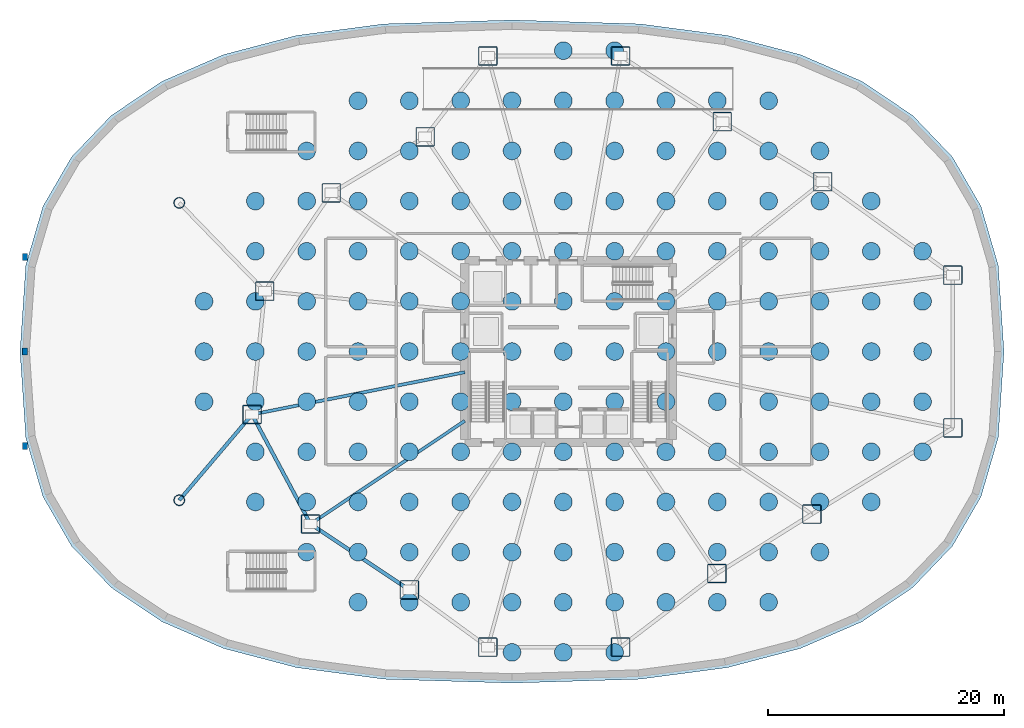
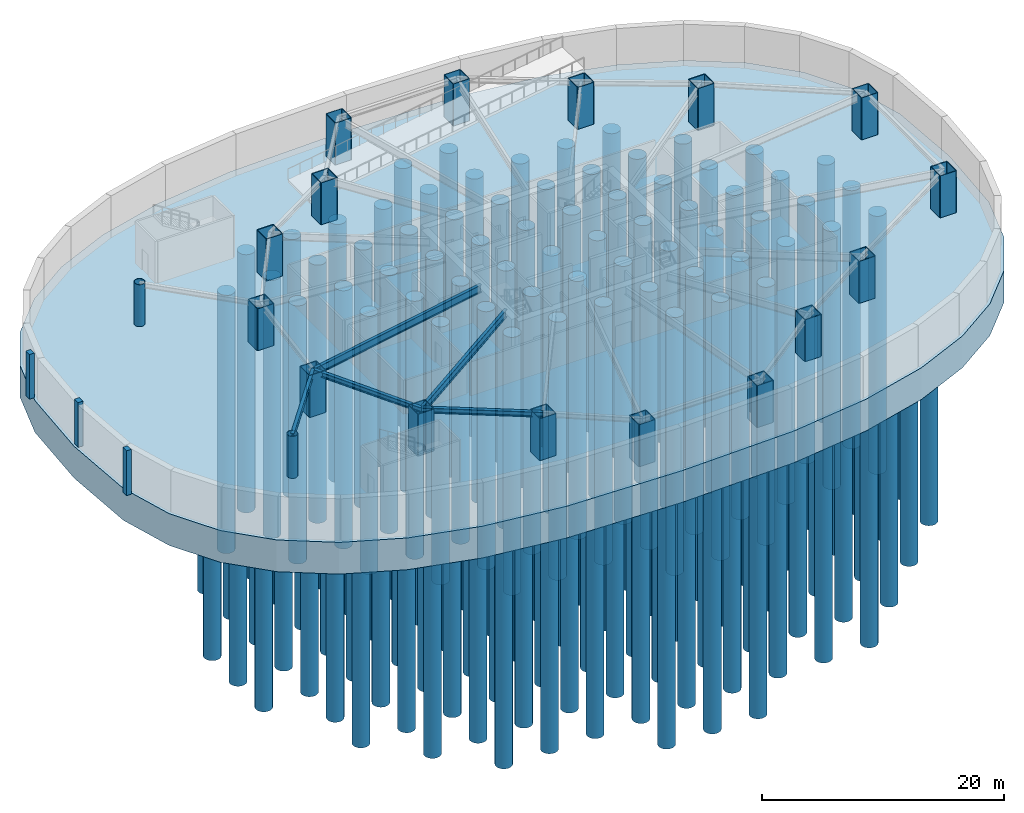
# One storey, part 1 of 10: 144 piles, 21 columns, 5 beams, 1 footing.
"""IFC4 building model written with IfcOpenShell, lengths in metres."""

from ifc_helpers import new_model, si_unit, direction, frame, origin, origin_2d, place, context, subcontext, project, spatial, polyline, rectangle, hollow_rectangle, circle, hollow_circle, i_section, outline, extrude, source, transform, mapped, material, layer, layer_set, material_profile, profile_set, type_object, element, save


model = new_model("IFC4")

# Units and contexts
model_context = context("Model", 3, precision=1e-05, world=origin(), true_north=direction((0.0, 1.0)))
body_context = subcontext(model_context, "Body", "Model", "MODEL_VIEW")
ifc_project = project(units=[si_unit("LENGTHUNIT", "METRE"), si_unit("AREAUNIT", "SQUARE_METRE"), si_unit("VOLUMEUNIT", "CUBIC_METRE"), si_unit("PLANEANGLEUNIT", "RADIAN"), si_unit("MASSUNIT", "GRAM", prefix="KILO"), si_unit("THERMODYNAMICTEMPERATUREUNIT", "KELVIN")], contexts=[model_context])

# Site, building, storey
site_placement = place(None, origin())
site = spatial("IfcSite", under=ifc_project, at=site_placement, CompositionType="ELEMENT")
building_placement = place(site_placement, origin())
building = spatial("IfcBuilding", under=site, at=building_placement, Name="Kethvar Cultural Tower", CompositionType="ELEMENT")
storey_placement = place(building_placement, frame((0.0, 0.0, -9.0)))
storey = spatial("IfcBuildingStorey", under=building, at=storey_placement, Name="B02", CompositionType="ELEMENT", Elevation=-9.0)

# Footing
ifc_material_1 = material(Name="Concrete C50/60", Category="concrete")
ifc_layer = layer(ifc_material_1, 3.199951171875, Name="Concrete C50/60", Category="concrete")
ifc_layer_set = layer_set([ifc_layer], Name="Concrete C50/60 (3200 mm)")
footing_type = type_object("IfcFootingType", Name="FT-RAFT-3200", PredefinedType="PILE_CAP", material=ifc_layer_set)
footing_placement = place(storey_placement, frame((0.0, 0.0, -3.199951171875)))
element("IfcFooting", 1, at=footing_placement, inside=storey, type_object=footing_type, Name="Main Piled-Raft Foundation", PredefinedType="PILE_CAP", context=body_context, shape_type="SweptSolid", body=[
    extrude(outline(polyline([(83.699951171875, 27.800048828125), (83.2119140625, 35.108642578125), (81.751708984375, 40.11083984375), (79.33203125, 44.287109375), (75.970458984375, 47.8017578125), (71.68212890625, 50.69140625), (66.466796875, 52.956787109375), (60.26904296875, 54.587158203125), (52.845947265625, 55.571044921875), (42.0, 55.89990234375), (31.154052734375, 55.571044921875), (23.73095703125, 54.587158203125), (17.533203125, 52.956787109375), (12.31787109375, 50.69140625), (8.029541015625, 47.8017578125), (4.66796875, 44.287109375), (2.248291015625, 40.11083984375), (0.7880859375, 35.108642578125), (0.300048828125, 27.800048828125), (0.7880859375, 20.4912109375), (2.248291015625, 15.4892578125), (4.66796875, 11.31298828125), (8.029541015625, 7.79833984375), (12.31787109375, 4.90869140625), (17.533203125, 2.643310546875), (23.73095703125, 1.012939453125), (31.154052734375, 0.029052734375), (42.0, -0.300048828125), (52.845947265625, 0.029052734375), (60.26904296875, 1.012939453125), (66.466796875, 2.643310546875), (71.68212890625, 4.90869140625), (75.970458984375, 7.79833984375), (79.33203125, 11.31298828125), (81.751708984375, 15.4892578125), (83.2119140625, 20.4912109375), (83.699951171875, 27.800048828125)])), origin(), (0.0, 0.0, 1.0), 3.199951171875),
])

# Piles
ifc_material_2 = material(Name="Concrete C45/55", Category="concrete")
ifc_material_profile_1 = material_profile(ifc_material_2, circle(Radius=0.75, at=origin_2d()), Name="Concrete C45/55 — PILE1500")
ifc_profile_set_1 = profile_set([ifc_material_profile_1], Name="Concrete C45/55 — PILE1500")
pile_type = type_object("IfcPileType", Name="PILE-1500", PredefinedType="BORED", material=ifc_profile_set_1)
shared_shape_1 = source(origin(), body_context, "Body", "SweptSolid", [
    extrude(circle(Radius=0.75, at=origin_2d()), origin(), (0.0, 0.0, 1.0), 26.0),
])
for number, where, z_axis, x_axis, name in (
    (2, (46.35009765625, 27.800048828125, -3.10009765625), (0.0, 0.0, -1.0), (1.0, 0.0, 0.0), "Bored Pile P-001"),
    (3, (50.699951171875, 27.800048828125, -3.10009765625), (0.0, 0.0, -1.0), (1.0, 0.0, 0.0), "Bored Pile P-002"),
    (4, (42.0, 27.800048828125, -3.10009765625), (0.0, 0.0, -1.0), (1.0, 0.0, 0.0), "Bored Pile P-003"),
    (5, (46.35009765625, 23.550048828125, -3.10009765625), (0.0, 0.0, -1.0), (1.0, 0.0, 0.0), "Bored Pile P-004"),
    (6, (46.35009765625, 32.050048828125, -3.10009765625), (0.0, 0.0, -1.0), (1.0, 0.0, 0.0), "Bored Pile P-005"),
    (7, (50.699951171875, 23.550048828125, -3.10009765625), (0.0, 0.0, -1.0), (1.0, 0.0, 0.0), "Bored Pile P-006"),
    (8, (50.699951171875, 32.050048828125, -3.10009765625), (0.0, 0.0, -1.0), (1.0, 0.0, 0.0), "Bored Pile P-007"),
    (9, (42.0, 23.550048828125, -3.10009765625), (0.0, 0.0, -1.0), (1.0, 0.0, 0.0), "Bored Pile P-008"),
    (10, (42.0, 32.050048828125, -3.10009765625), (0.0, 0.0, -1.0), (1.0, 0.0, 0.0), "Bored Pile P-009"),
    (11, (55.050048828125, 27.800048828125, -3.10009765625), (0.0, 0.0, -1.0), (1.0, 0.0, 0.0), "Bored Pile P-010"),
    (12, (37.64990234375, 27.800048828125, -3.10009765625), (0.0, 0.0, -1.0), (1.0, 0.0, 0.0), "Bored Pile P-011"),
    (13, (55.050048828125, 23.550048828125, -3.10009765625), (0.0, 0.0, -1.0), (1.0, 0.0, 0.0), "Bored Pile P-012"),
    (14, (55.050048828125, 32.050048828125, -3.10009765625), (0.0, 0.0, -1.0), (1.0, 0.0, 0.0), "Bored Pile P-013"),
    (15, (37.64990234375, 23.550048828125, -3.10009765625), (0.0, 0.0, -1.0), (1.0, 0.0, 0.0), "Bored Pile P-014"),
    (16, (37.64990234375, 32.050048828125, -3.10009765625), (0.0, 0.0, -1.0), (1.0, 0.0, 0.0), "Bored Pile P-015"),
    (17, (46.35009765625, 19.300048828125, -3.10009765625), (0.0, 0.0, -1.0), (1.0, 0.0, 0.0), "Bored Pile P-016"),
    (18, (46.35009765625, 36.300048828125, -3.10009765625), (0.0, 0.0, -1.0), (1.0, 0.0, 0.0), "Bored Pile P-017"),
    (19, (50.699951171875, 19.300048828125, -3.10009765625), (0.0, 0.0, -1.0), (1.0, 0.0, 0.0), "Bored Pile P-018"),
    (20, (50.699951171875, 36.300048828125, -3.10009765625), (0.0, 0.0, -1.0), (1.0, 0.0, 0.0), "Bored Pile P-019"),
    (21, (42.0, 19.300048828125, -3.10009765625), (0.0, 0.0, -1.0), (1.0, 0.0, 0.0), "Bored Pile P-020"),
    (22, (42.0, 36.300048828125, -3.10009765625), (0.0, 0.0, -1.0), (1.0, 0.0, 0.0), "Bored Pile P-021"),
    (23, (59.39990234375, 27.800048828125, -3.10009765625), (0.0, 0.0, -1.0), (1.0, 0.0, 0.0), "Bored Pile P-022"),
    (24, (55.050048828125, 19.300048828125, -3.10009765625), (0.0, 0.0, -1.0), (1.0, 0.0, 0.0), "Bored Pile P-023"),
    (25, (55.050048828125, 36.300048828125, -3.10009765625), (0.0, 0.0, -1.0), (1.0, 0.0, 0.0), "Bored Pile P-024"),
    (26, (33.300048828125, 27.800048828125, -3.10009765625), (0.0, 0.0, -1.0), (1.0, 0.0, 0.0), "Bored Pile P-025"),
    (27, (59.39990234375, 23.550048828125, -3.10009765625), (0.0, 0.0, -1.0), (1.0, 0.0, 0.0), "Bored Pile P-026"),
    (28, (59.39990234375, 32.050048828125, -3.10009765625), (0.0, 0.0, -1.0), (1.0, 0.0, 0.0), "Bored Pile P-027"),
    (29, (37.64990234375, 19.300048828125, -3.10009765625), (0.0, 0.0, -1.0), (1.0, 0.0, 0.0), "Bored Pile P-028"),
    (30, (37.64990234375, 36.300048828125, -3.10009765625), (0.0, 0.0, -1.0), (1.0, 0.0, 0.0), "Bored Pile P-029"),
    (31, (33.300048828125, 23.550048828125, -3.10009765625), (0.0, 0.0, -1.0), (1.0, 0.0, 0.0), "Bored Pile P-030"),
    (32, (33.300048828125, 32.050048828125, -3.10009765625), (0.0, 0.0, -1.0), (1.0, 0.0, 0.0), "Bored Pile P-031"),
    (33, (46.35009765625, 15.050048828125, -3.10009765625), (0.0, 0.0, -1.0), (1.0, 0.0, 0.0), "Bored Pile P-032"),
    (34, (46.35009765625, 40.550048828125, -3.10009765625), (0.0, 0.0, -1.0), (1.0, 0.0, 0.0), "Bored Pile P-033"),
    (35, (50.699951171875, 15.050048828125, -3.10009765625), (0.0, 0.0, -1.0), (1.0, 0.0, 0.0), "Bored Pile P-034"),
    (36, (50.699951171875, 40.550048828125, -3.10009765625), (0.0, 0.0, -1.0), (1.0, 0.0, 0.0), "Bored Pile P-035"),
    (37, (59.39990234375, 19.300048828125, -3.10009765625), (0.0, 0.0, -1.0), (1.0, 0.0, 0.0), "Bored Pile P-036"),
    (38, (59.39990234375, 36.300048828125, -3.10009765625), (0.0, 0.0, -1.0), (1.0, 0.0, 0.0), "Bored Pile P-037"),
    (39, (42.0, 15.050048828125, -3.10009765625), (0.0, 0.0, -1.0), (1.0, 0.0, 0.0), "Bored Pile P-038"),
    (40, (42.0, 40.550048828125, -3.10009765625), (0.0, 0.0, -1.0), (1.0, 0.0, 0.0), "Bored Pile P-039"),
    (41, (63.75, 27.800048828125, -3.10009765625), (0.0, 0.0, -1.0), (1.0, 0.0, 0.0), "Bored Pile P-040"),
    (42, (33.300048828125, 19.300048828125, -3.10009765625), (0.0, 0.0, -1.0), (1.0, 0.0, 0.0), "Bored Pile P-041"),
    (43, (33.300048828125, 36.300048828125, -3.10009765625), (0.0, 0.0, -1.0), (1.0, 0.0, 0.0), "Bored Pile P-042"),
    (44, (63.75, 23.550048828125, -3.10009765625), (0.0, 0.0, -1.0), (1.0, 0.0, 0.0), "Bored Pile P-043"),
    (45, (63.75, 32.050048828125, -3.10009765625), (0.0, 0.0, -1.0), (1.0, 0.0, 0.0), "Bored Pile P-044"),
    (46, (28.949951171875, 27.800048828125, -3.10009765625), (0.0, 0.0, -1.0), (1.0, 0.0, 0.0), "Bored Pile P-045"),
    (47, (55.050048828125, 15.050048828125, -3.10009765625), (0.0, 0.0, -1.0), (1.0, 0.0, 0.0), "Bored Pile P-046"),
    (48, (55.050048828125, 40.550048828125, -3.10009765625), (0.0, 0.0, -1.0), (1.0, 0.0, 0.0), "Bored Pile P-047"),
    (49, (37.64990234375, 15.050048828125, -3.10009765625), (0.0, 0.0, -1.0), (1.0, 0.0, 0.0), "Bored Pile P-048"),
    (50, (37.64990234375, 40.550048828125, -3.10009765625), (0.0, 0.0, -1.0), (1.0, 0.0, 0.0), "Bored Pile P-049"),
    (51, (28.949951171875, 23.550048828125, -3.10009765625), (0.0, 0.0, -1.0), (1.0, 0.0, 0.0), "Bored Pile P-050"),
    (52, (28.949951171875, 32.050048828125, -3.10009765625), (0.0, 0.0, -1.0), (1.0, 0.0, 0.0), "Bored Pile P-051"),
    (53, (63.75, 19.300048828125, -3.10009765625), (0.0, 0.0, -1.0), (1.0, 0.0, 0.0), "Bored Pile P-052"),
    (54, (63.75, 36.300048828125, -3.10009765625), (0.0, 0.0, -1.0), (1.0, 0.0, 0.0), "Bored Pile P-053"),
    (55, (59.39990234375, 15.050048828125, -3.10009765625), (0.0, 0.0, -1.0), (1.0, 0.0, 0.0), "Bored Pile P-054"),
    (56, (59.39990234375, 40.550048828125, -3.10009765625), (0.0, 0.0, -1.0), (1.0, 0.0, 0.0), "Bored Pile P-055"),
    (57, (28.949951171875, 19.300048828125, -3.10009765625), (0.0, 0.0, -1.0), (1.0, 0.0, 0.0), "Bored Pile P-056"),
    (58, (28.949951171875, 36.300048828125, -3.10009765625), (0.0, 0.0, -1.0), (1.0, 0.0, 0.0), "Bored Pile P-057"),
    (59, (33.300048828125, 15.050048828125, -3.10009765625), (0.0, 0.0, -1.0), (1.0, 0.0, 0.0), "Bored Pile P-058"),
    (60, (33.300048828125, 40.550048828125, -3.10009765625), (0.0, 0.0, -1.0), (1.0, 0.0, 0.0), "Bored Pile P-059"),
    (61, (46.35009765625, 10.800048828125, -3.10009765625), (0.0, 0.0, -1.0), (1.0, 0.0, 0.0), "Bored Pile P-060"),
    (62, (46.35009765625, 44.800048828125, -3.10009765625), (0.0, 0.0, -1.0), (1.0, 0.0, 0.0), "Bored Pile P-061"),
    (63, (68.10009765625, 27.800048828125, -3.10009765625), (0.0, 0.0, -1.0), (1.0, 0.0, 0.0), "Bored Pile P-062"),
    (64, (50.699951171875, 10.800048828125, -3.10009765625), (0.0, 0.0, -1.0), (1.0, 0.0, 0.0), "Bored Pile P-063"),
    (65, (50.699951171875, 44.800048828125, -3.10009765625), (0.0, 0.0, -1.0), (1.0, 0.0, 0.0), "Bored Pile P-064"),
    (66, (42.0, 10.800048828125, -3.10009765625), (0.0, 0.0, -1.0), (1.0, 0.0, 0.0), "Bored Pile P-065"),
    (67, (42.0, 44.800048828125, -3.10009765625), (0.0, 0.0, -1.0), (1.0, 0.0, 0.0), "Bored Pile P-066"),
    (68, (68.10009765625, 23.550048828125, -3.10009765625), (0.0, 0.0, -1.0), (1.0, 0.0, 0.0), "Bored Pile P-067"),
    (69, (68.10009765625, 32.050048828125, -3.10009765625), (0.0, 0.0, -1.0), (1.0, 0.0, 0.0), "Bored Pile P-068"),
    (70, (24.60009765625, 27.800048828125, -3.10009765625), (0.0, 0.0, -1.0), (1.0, 0.0, 0.0), "Bored Pile P-069"),
    (71, (55.050048828125, 10.800048828125, -3.10009765625), (0.0, 0.0, -1.0), (1.0, 0.0, 0.0), "Bored Pile P-070"),
    (72, (55.050048828125, 44.800048828125, -3.10009765625), (0.0, 0.0, -1.0), (1.0, 0.0, 0.0), "Bored Pile P-071"),
    (73, (24.60009765625, 23.550048828125, -3.10009765625), (0.0, 0.0, -1.0), (1.0, 0.0, 0.0), "Bored Pile P-072"),
    (74, (24.60009765625, 32.050048828125, -3.10009765625), (0.0, 0.0, -1.0), (1.0, 0.0, 0.0), "Bored Pile P-073"),
    (75, (37.64990234375, 10.800048828125, -3.10009765625), (0.0, 0.0, -1.0), (1.0, 0.0, 0.0), "Bored Pile P-074"),
    (76, (37.64990234375, 44.800048828125, -3.10009765625), (0.0, 0.0, -1.0), (1.0, 0.0, 0.0), "Bored Pile P-075"),
    (77, (63.75, 15.050048828125, -3.10009765625), (0.0, 0.0, -1.0), (1.0, 0.0, 0.0), "Bored Pile P-076"),
    (78, (63.75, 40.550048828125, -3.10009765625), (0.0, 0.0, -1.0), (1.0, 0.0, 0.0), "Bored Pile P-077"),
    (79, (68.10009765625, 19.300048828125, -3.10009765625), (0.0, 0.0, -1.0), (1.0, 0.0, 0.0), "Bored Pile P-078"),
    (80, (68.10009765625, 36.300048828125, -3.10009765625), (0.0, 0.0, -1.0), (1.0, 0.0, 0.0), "Bored Pile P-079"),
    (81, (28.949951171875, 15.050048828125, -3.10009765625), (0.0, 0.0, -1.0), (1.0, 0.0, 0.0), "Bored Pile P-080"),
    (82, (28.949951171875, 40.550048828125, -3.10009765625), (0.0, 0.0, -1.0), (1.0, 0.0, 0.0), "Bored Pile P-081"),
    (83, (24.60009765625, 19.300048828125, -3.10009765625), (0.0, 0.0, -1.0), (1.0, 0.0, 0.0), "Bored Pile P-082"),
    (84, (24.60009765625, 36.300048828125, -3.10009765625), (0.0, 0.0, -1.0), (1.0, 0.0, 0.0), "Bored Pile P-083"),
    (85, (59.39990234375, 10.800048828125, -3.10009765625), (0.0, 0.0, -1.0), (1.0, 0.0, 0.0), "Bored Pile P-084"),
    (86, (59.39990234375, 44.800048828125, -3.10009765625), (0.0, 0.0, -1.0), (1.0, 0.0, 0.0), "Bored Pile P-085"),
    (87, (33.300048828125, 10.800048828125, -3.10009765625), (0.0, 0.0, -1.0), (1.0, 0.0, 0.0), "Bored Pile P-086"),
    (88, (33.300048828125, 44.800048828125, -3.10009765625), (0.0, 0.0, -1.0), (1.0, 0.0, 0.0), "Bored Pile P-087"),
    (89, (72.449951171875, 27.800048828125, -3.10009765625), (0.0, 0.0, -1.0), (1.0, 0.0, 0.0), "Bored Pile P-088"),
    (90, (72.449951171875, 23.550048828125, -3.10009765625), (0.0, 0.0, -1.0), (1.0, 0.0, 0.0), "Bored Pile P-089"),
    (91, (72.449951171875, 32.050048828125, -3.10009765625), (0.0, 0.0, -1.0), (1.0, 0.0, 0.0), "Bored Pile P-090"),
    (92, (20.25, 27.800048828125, -3.10009765625), (0.0, 0.0, -1.0), (1.0, 0.0, 0.0), "Bored Pile P-091"),
    (93, (46.35009765625, 6.550048828125, -3.10009765625), (0.0, 0.0, -1.0), (1.0, 0.0, 0.0), "Bored Pile P-092"),
    (94, (46.35009765625, 49.050048828125, -3.10009765625), (0.0, 0.0, -1.0), (1.0, 0.0, 0.0), "Bored Pile P-093"),
    (95, (68.10009765625, 15.050048828125, -3.10009765625), (0.0, 0.0, -1.0), (1.0, 0.0, 0.0), "Bored Pile P-094"),
    (96, (68.10009765625, 40.550048828125, -3.10009765625), (0.0, 0.0, -1.0), (1.0, 0.0, 0.0), "Bored Pile P-095"),
    (97, (50.699951171875, 6.550048828125, -3.10009765625), (0.0, 0.0, -1.0), (1.0, 0.0, 0.0), "Bored Pile P-096"),
    (98, (50.699951171875, 49.050048828125, -3.10009765625), (0.0, 0.0, -1.0), (1.0, 0.0, 0.0), "Bored Pile P-097"),
    (99, (42.0, 6.550048828125, -3.10009765625), (0.0, 0.0, -1.0), (1.0, 0.0, 0.0), "Bored Pile P-098"),
    (100, (42.0, 49.050048828125, -3.10009765625), (0.0, 0.0, -1.0), (1.0, 0.0, 0.0), "Bored Pile P-099"),
    (101, (20.25, 23.550048828125, -3.10009765625), (0.0, 0.0, -1.0), (1.0, 0.0, 0.0), "Bored Pile P-100"),
    (102, (20.25, 32.050048828125, -3.10009765625), (0.0, 0.0, -1.0), (1.0, 0.0, 0.0), "Bored Pile P-101"),
    (103, (63.75, 10.800048828125, -3.10009765625), (0.0, 0.0, -1.0), (1.0, 0.0, 0.0), "Bored Pile P-102"),
    (104, (63.75, 44.800048828125, -3.10009765625), (0.0, 0.0, -1.0), (1.0, 0.0, 0.0), "Bored Pile P-103"),
    (105, (24.60009765625, 15.050048828125, -3.10009765625), (0.0, 0.0, -1.0), (1.0, 0.0, 0.0), "Bored Pile P-104"),
    (106, (24.60009765625, 40.550048828125, -3.10009765625), (0.0, 0.0, -1.0), (1.0, 0.0, 0.0), "Bored Pile P-105"),
    (107, (28.949951171875, 10.800048828125, -3.10009765625), (0.0, 0.0, -1.0), (1.0, 0.0, 0.0), "Bored Pile P-106"),
    (108, (28.949951171875, 44.800048828125, -3.10009765625), (0.0, 0.0, -1.0), (1.0, 0.0, 0.0), "Bored Pile P-107"),
    (109, (72.449951171875, 19.300048828125, -3.10009765625), (0.0, 0.0, -1.0), (1.0, 0.0, 0.0), "Bored Pile P-108"),
    (110, (72.449951171875, 36.300048828125, -3.10009765625), (0.0, 0.0, -1.0), (1.0, 0.0, 0.0), "Bored Pile P-109"),
    (111, (55.050048828125, 6.550048828125, -3.10009765625), (0.0, 0.0, -1.0), (1.0, 0.0, 0.0), "Bored Pile P-110"),
    (112, (55.050048828125, 49.050048828125, -3.10009765625), (0.0, 0.0, -1.0), (1.0, 0.0, 0.0), "Bored Pile P-111"),
    (113, (37.64990234375, 6.550048828125, -3.10009765625), (0.0, 0.0, -1.0), (1.0, 0.0, 0.0), "Bored Pile P-112"),
    (114, (37.64990234375, 49.050048828125, -3.10009765625), (0.0, 0.0, -1.0), (1.0, 0.0, 0.0), "Bored Pile P-113"),
    (115, (20.25, 19.300048828125, -3.10009765625), (0.0, 0.0, -1.0), (1.0, 0.0, 0.0), "Bored Pile P-114"),
    (116, (20.25, 36.300048828125, -3.10009765625), (0.0, 0.0, -1.0), (1.0, 0.0, 0.0), "Bored Pile P-115"),
    (117, (59.39990234375, 6.550048828125, -3.10009765625), (0.0, 0.0, -1.0), (1.0, 0.0, 0.0), "Bored Pile P-116"),
    (118, (59.39990234375, 49.050048828125, -3.10009765625), (0.0, 0.0, -1.0), (1.0, 0.0, 0.0), "Bored Pile P-117"),
    (119, (33.300048828125, 6.550048828125, -3.10009765625), (0.0, 0.0, -1.0), (1.0, 0.0, 0.0), "Bored Pile P-118"),
    (120, (33.300048828125, 49.050048828125, -3.10009765625), (0.0, 0.0, -1.0), (1.0, 0.0, 0.0), "Bored Pile P-119"),
    (121, (76.800048828125, 27.800048828125, -3.10009765625), (0.0, 0.0, -1.0), (1.0, 0.0, 0.0), "Bored Pile P-120"),
    (122, (68.10009765625, 10.800048828125, -3.10009765625), (0.0, 0.0, -1.0), (1.0, 0.0, 0.0), "Bored Pile P-121"),
    (123, (68.10009765625, 44.800048828125, -3.10009765625), (0.0, 0.0, -1.0), (1.0, 0.0, 0.0), "Bored Pile P-122"),
    (124, (72.449951171875, 15.050048828125, -3.10009765625), (0.0, 0.0, -1.0), (1.0, 0.0, 0.0), "Bored Pile P-123"),
    (125, (72.449951171875, 40.550048828125, -3.10009765625), (0.0, 0.0, -1.0), (1.0, 0.0, 0.0), "Bored Pile P-124"),
    (126, (76.800048828125, 23.550048828125, -3.10009765625), (0.0, 0.0, -1.0), (1.0, 0.0, 0.0), "Bored Pile P-125"),
    (127, (76.800048828125, 32.050048828125, -3.10009765625), (0.0, 0.0, -1.0), (1.0, 0.0, 0.0), "Bored Pile P-126"),
    (128, (24.60009765625, 10.800048828125, -3.10009765625), (0.0, 0.0, -1.0), (1.0, 0.0, 0.0), "Bored Pile P-127"),
    (129, (24.60009765625, 44.800048828125, -3.10009765625), (0.0, 0.0, -1.0), (1.0, 0.0, 0.0), "Bored Pile P-128"),
    (130, (15.89990234375, 27.800048828125, -3.10009765625), (0.0, 0.0, -1.0), (1.0, 0.0, 0.0), "Bored Pile P-129"),
    (131, (20.25, 15.050048828125, -3.10009765625), (0.0, 0.0, -1.0), (1.0, 0.0, 0.0), "Bored Pile P-130"),
    (132, (20.25, 40.550048828125, -3.10009765625), (0.0, 0.0, -1.0), (1.0, 0.0, 0.0), "Bored Pile P-131"),
    (133, (15.89990234375, 23.550048828125, -3.10009765625), (0.0, 0.0, -1.0), (1.0, 0.0, 0.0), "Bored Pile P-132"),
    (134, (15.89990234375, 32.050048828125, -3.10009765625), (0.0, 0.0, -1.0), (1.0, 0.0, 0.0), "Bored Pile P-133"),
    (135, (63.75, 6.550048828125, -3.10009765625), (0.0, 0.0, -1.0), (1.0, 0.0, 0.0), "Bored Pile P-134"),
    (136, (63.75, 49.050048828125, -3.10009765625), (0.0, 0.0, -1.0), (1.0, 0.0, 0.0), "Bored Pile P-135"),
    (137, (76.800048828125, 19.300048828125, -3.10009765625), (0.0, 0.0, -1.0), (1.0, 0.0, 0.0), "Bored Pile P-136"),
    (138, (76.800048828125, 36.300048828125, -3.10009765625), (0.0, 0.0, -1.0), (1.0, 0.0, 0.0), "Bored Pile P-137"),
    (139, (46.35009765625, 2.300048828125, -3.10009765625), (0.0, 0.0, -1.0), (1.0, 0.0, 0.0), "Bored Pile P-138"),
    (140, (46.35009765625, 53.300048828125, -3.10009765625), (0.0, 0.0, -1.0), (1.0, 0.0, 0.0), "Bored Pile P-139"),
    (141, (28.949951171875, 6.550048828125, -3.10009765625), (0.0, 0.0, -1.0), (1.0, 0.0, 0.0), "Bored Pile P-140"),
    (142, (28.949951171875, 49.050048828125, -3.10009765625), (0.0, 0.0, -1.0), (1.0, 0.0, 0.0), "Bored Pile P-141"),
    (143, (50.699951171875, 2.300048828125, -3.10009765625), (0.0, 0.0, -1.0), (1.0, 0.0, 0.0), "Bored Pile P-142"),
    (144, (50.699951171875, 53.300048828125, -3.10009765625), (0.0, 0.0, -1.0), (1.0, 0.0, 0.0), "Bored Pile P-143"),
    (145, (42.0, 2.300048828125, -3.10009765625), (0.0, 0.0, -1.0), (1.0, 0.0, 0.0), "Bored Pile P-144"),
):
    element("IfcPile", number, at=place(storey_placement, frame(where, z_axis=z_axis, x_axis=x_axis)), inside=storey, type_object=pile_type, Name=name, PredefinedType="BORED", context=body_context, shape_type="MappedRepresentation", body=[
        mapped(shared_shape_1, transform((0.0, 0.0, 0.0), scale=1.0)),
    ])

# Columns
ifc_material_profile_2 = material_profile(ifc_material_1, rectangle(XDim=0.449951171875, YDim=0.60009765625, at=origin_2d()), Name="Concrete C50/60 — RC600x450")
ifc_profile_set_2 = profile_set([ifc_material_profile_2], Name="Concrete C50/60 — RC600x450")
column_type_1 = type_object("IfcColumnType", Name="COL-PIER-600", PredefinedType="PILASTER", material=ifc_profile_set_2)
shared_shape_2 = source(origin(), body_context, "Body", "SweptSolid", [
    extrude(rectangle(XDim=0.449951171875, YDim=0.60009765625, at=origin_2d()), origin(), (0.0, 0.0, 1.0), 4.5),
])
for number, where, z_axis, x_axis, name in (
    (146, (0.719970703125, 19.800048828125, 0.0), (0.0, 0.0, 1.0), (1.0, 0.0, 0.0), "B02 Canopy Support Pier 01"),
    (147, (0.719970703125, 27.800048828125, 0.0), (0.0, 0.0, 1.0), (1.0, 0.0, 0.0), "B02 Canopy Support Pier 02"),
    (148, (0.719970703125, 35.800048828125, 0.0), (0.0, 0.0, 1.0), (1.0, 0.0, 0.0), "B02 Canopy Support Pier 03"),
):
    element("IfcColumn", number, at=place(storey_placement, frame(where, z_axis=z_axis, x_axis=x_axis)), inside=storey, type_object=column_type_1, Name=name, PredefinedType="PILASTER", context=body_context, shape_type="MappedRepresentation", body=[
        mapped(shared_shape_2, transform((0.0, 0.0, 0.0), scale=1.0)),
    ])
ifc_material_3 = material(Name="Steel S460M", Category="steel")
ifc_material_profile_3 = material_profile(ifc_material_3, hollow_rectangle(XDim=1.60009765625, YDim=1.60009765625, WallThickness=0.06005859375, InnerFilletRadius=0.030029296875, OuterFilletRadius=0.090087890625, at=origin_2d()), Name="Steel S460M — BOX1600x1600x60")
ifc_profile_set_3 = profile_set([ifc_material_profile_3], Name="Steel S460M — BOX1600x1600x60")
column_type_2 = type_object("IfcColumnType", Name="COL-BOX1600", PredefinedType="COLUMN", material=ifc_profile_set_3)
shared_shape_3 = source(origin(), body_context, "Body", "SweptSolid", [
    extrude(hollow_rectangle(XDim=1.60009765625, YDim=1.60009765625, WallThickness=0.06005859375, InnerFilletRadius=0.030029296875, OuterFilletRadius=0.090087890625, at=origin_2d()), origin(), (0.0, 0.0, 1.0), 4.219970703125),
])
for number, where, z_axis, x_axis, name in (
    (149, (79.362060546875, 34.277099609375, 0.0), (0.0, 0.0, 1.0), (1.0, 0.0, 0.0), "B02 Podium Column C-01"),
    (150, (68.33642578125, 42.190185546875, 0.0), (0.0, 0.0, 1.0), (1.0, 0.0, 0.0), "B02 Podium Column C-02"),
    (151, (59.824951171875, 47.293212890625, 0.0), (0.0, 0.0, 1.0), (1.0, 0.0, 0.0), "B02 Podium Column C-03"),
    (152, (51.199951171875, 52.85009765625, 0.0), (0.0, 0.0, 1.0), (1.0, 0.0, 0.0), "B02 Podium Column C-04"),
    (153, (39.949951171875, 52.85009765625, 0.0), (0.0, 0.0, 1.0), (1.0, 0.0, 0.0), "B02 Podium Column C-05"),
    (154, (34.64599609375, 45.98974609375, 0.0), (0.0, 0.0, 1.0), (1.0, 0.0, 0.0), "B02 Podium Column C-06"),
    (155, (26.6845703125, 41.24072265625, 0.0), (0.0, 0.0, 1.0), (1.0, 0.0, 0.0), "B02 Podium Column C-07"),
    (156, (21.047119140625, 32.922607421875, 0.0), (0.0, 0.0, 1.0), (1.0, 0.0, 0.0), "B02 Podium Column C-08"),
    (157, (19.9658203125, 22.46240234375, 0.0), (0.0, 0.0, 1.0), (1.0, 0.0, 0.0), "B02 Podium Column C-09"),
    (158, (24.9248046875, 13.183349609375, 0.0), (0.0, 0.0, 1.0), (1.0, 0.0, 0.0), "B02 Podium Column C-10"),
    (159, (33.302001953125, 7.598876953125, 0.0), (0.0, 0.0, 1.0), (1.0, 0.0, 0.0), "B02 Podium Column C-11"),
    (160, (39.949951171875, 2.75, 0.0), (0.0, 0.0, 1.0), (1.0, 0.0, 0.0), "B02 Podium Column C-12"),
    (161, (51.199951171875, 2.75, 0.0), (0.0, 0.0, 1.0), (1.0, 0.0, 0.0), "B02 Podium Column C-13"),
    (162, (59.370361328125, 8.987060546875, 0.0), (0.0, 0.0, 1.0), (1.0, 0.0, 0.0), "B02 Podium Column C-14"),
    (163, (67.41845703125, 14.023193359375, 0.0), (0.0, 0.0, 1.0), (1.0, 0.0, 0.0), "B02 Podium Column C-15"),
    (164, (79.362060546875, 21.322998046875, 0.0), (0.0, 0.0, 1.0), (1.0, 0.0, 0.0), "B02 Podium Column C-16"),
):
    element("IfcColumn", number, at=place(storey_placement, frame(where, z_axis=z_axis, x_axis=x_axis)), inside=storey, type_object=column_type_2, Name=name, PredefinedType="COLUMN", context=body_context, shape_type="MappedRepresentation", body=[
        mapped(shared_shape_3, transform((0.0, 0.0, 0.0), scale=1.0)),
    ])
ifc_material_4 = material(Name="Steel S355J2", Category="steel")
ifc_material_profile_4 = material_profile(ifc_material_4, hollow_circle(Radius=0.45703125, WallThickness=0.031982421875, at=origin_2d()), Name="Steel S355J2 — CHS914x32")
ifc_profile_set_4 = profile_set([ifc_material_profile_4], Name="Steel S355J2 — CHS914x32")
column_type_3 = type_object("IfcColumnType", Name="COL-CHS914", PredefinedType="COLUMN", material=ifc_profile_set_4)
shared_shape_4 = source(origin(), body_context, "Body", "SweptSolid", [
    extrude(hollow_circle(Radius=0.45703125, WallThickness=0.031982421875, at=origin_2d()), origin(), (0.0, 0.0, 1.0), 4.219970703125),
])
for number, where, z_axis, x_axis, name in (
    (165, (13.800048828125, 15.199951171875, 0.0), (0.0, 0.0, 1.0), (1.0, 0.0, 0.0), "B02 Podium Column C-17"),
    (166, (13.800048828125, 40.39990234375, 0.0), (0.0, 0.0, 1.0), (1.0, 0.0, 0.0), "B02 Podium Column C-18"),
):
    element("IfcColumn", number, at=place(storey_placement, frame(where, z_axis=z_axis, x_axis=x_axis)), inside=storey, type_object=column_type_3, Name=name, PredefinedType="COLUMN", context=body_context, shape_type="MappedRepresentation", body=[
        mapped(shared_shape_4, transform((0.0, 0.0, 0.0), scale=1.0)),
    ])

# Beams
ifc_material_profile_5 = material_profile(ifc_material_4, i_section(OverallWidth=0.300048828125, OverallDepth=0.5, WebThickness=0.014404296875, FlangeThickness=0.028076171875, FilletRadius=0.027099609375, at=origin_2d()), Name="Steel S355J2 — HEB500")
ifc_profile_set_5 = profile_set([ifc_material_profile_5], Name="Steel S355J2 — HEB500")
beam_type_1 = type_object("IfcBeamType", Name="BM-SP500", PredefinedType="SPANDREL", material=ifc_profile_set_5)
shared_shape_5 = source(origin(), body_context, "Body", "SweptSolid", [
    extrude(i_section(OverallWidth=0.300048828125, OverallDepth=0.5, WebThickness=0.014404296875, FlangeThickness=0.028076171875, FilletRadius=0.027099609375, at=origin_2d()), origin(), (0.0, 0.0, 1.0), 10.52099609375),
])
beam_1_placement = place(storey_placement, frame((19.9658203125, 22.46240234375, 3.968017578125), z_axis=(0.471339616984, -0.881951793162, 0.0), x_axis=(0.881951793162, 0.471339616984, 0.0)))
element("IfcBeam", 167, at=beam_1_placement, inside=storey, type_object=beam_type_1, Name="B02 Podium Ring Beam 09", PredefinedType="SPANDREL", context=body_context, shape_type="MappedRepresentation", body=[
    mapped(shared_shape_5, transform((0.0, 0.0, 0.0), scale=1.0)),
])
shared_shape_6 = source(origin(), body_context, "Body", "SweptSolid", [
    extrude(i_section(OverallWidth=0.300048828125, OverallDepth=0.5, WebThickness=0.014404296875, FlangeThickness=0.028076171875, FilletRadius=0.027099609375, at=origin_2d()), origin(), (0.0, 0.0, 1.0), 10.06787109375),
])
beam_2_placement = place(storey_placement, frame((24.9248046875, 13.183349609375, 3.968017578125), z_axis=(0.832065216665, -0.554677812083, 0.0), x_axis=(0.554677812083, 0.832065216665, 0.0)))
element("IfcBeam", 168, at=beam_2_placement, inside=storey, type_object=beam_type_1, Name="B02 Podium Ring Beam 10", PredefinedType="SPANDREL", context=body_context, shape_type="MappedRepresentation", body=[
    mapped(shared_shape_6, transform((0.0, 0.0, 0.0), scale=1.0)),
])
shared_shape_7 = source(origin(), body_context, "Body", "SweptSolid", [
    extrude(i_section(OverallWidth=0.300048828125, OverallDepth=0.5, WebThickness=0.014404296875, FlangeThickness=0.028076171875, FilletRadius=0.027099609375, at=origin_2d()), origin(), (0.0, 0.0, 1.0), 9.52685546875),
])
beam_3_placement = place(storey_placement, frame((13.800048828125, 15.199951171875, 3.968017578125), z_axis=(0.647202724352, 0.762317934717, 0.0), x_axis=(-0.762317934717, 0.647202724352, 0.0)))
element("IfcBeam", 169, at=beam_3_placement, inside=storey, type_object=beam_type_1, Name="B02 West Atrium Wing Beam 01", PredefinedType="SPANDREL", context=body_context, shape_type="MappedRepresentation", body=[
    mapped(shared_shape_7, transform((0.0, 0.0, 0.0), scale=1.0)),
])
ifc_material_profile_6 = material_profile(ifc_material_4, i_section(OverallWidth=0.26708984375, OverallDepth=0.761962890625, WebThickness=0.014404296875, FlangeThickness=0.021484375, FilletRadius=0.01708984375, at=origin_2d()), Name="Steel S355J2 — IPE750x173")
ifc_profile_set_6 = profile_set([ifc_material_profile_6], Name="Steel S355J2 — IPE750x173")
beam_type_2 = type_object("IfcBeamType", Name="BM-IPE750", PredefinedType="BEAM", material=ifc_profile_set_6)
shared_shape_8 = source(origin(), body_context, "Body", "SweptSolid", [
    extrude(i_section(OverallWidth=0.26708984375, OverallDepth=0.761962890625, WebThickness=0.014404296875, FlangeThickness=0.021484375, FilletRadius=0.01708984375, at=origin_2d()), origin(), (0.0, 0.0, 1.0), 18.387451171875),
])
beam_4_placement = place(storey_placement, frame((38.0, 26.049560546875, 3.8369140625), z_axis=(-0.980785937774, -0.195087017162, 0.0), x_axis=(0.195087017162, -0.980785937774, 0.0)))
element("IfcBeam", 170, at=beam_4_placement, inside=storey, type_object=beam_type_2, Name="B02 Podium Radial Girder 09", PredefinedType="BEAM", context=body_context, shape_type="MappedRepresentation", body=[
    mapped(shared_shape_8, transform((0.0, 0.0, 0.0), scale=1.0)),
])
shared_shape_9 = source(origin(), body_context, "Body", "SweptSolid", [
    extrude(i_section(OverallWidth=0.26708984375, OverallDepth=0.761962890625, WebThickness=0.014404296875, FlangeThickness=0.021484375, FilletRadius=0.01708984375, at=origin_2d()), origin(), (0.0, 0.0, 1.0), 15.725341796875),
])
beam_5_placement = place(storey_placement, frame((38.0, 21.919921875, 3.8369140625), z_axis=(-0.831469433959, -0.555570499929, 0.0), x_axis=(0.555570499929, -0.831469433959, 0.0)))
element("IfcBeam", 171, at=beam_5_placement, inside=storey, type_object=beam_type_2, Name="B02 Podium Radial Girder 10", PredefinedType="BEAM", context=body_context, shape_type="MappedRepresentation", body=[
    mapped(shared_shape_9, transform((0.0, 0.0, 0.0), scale=1.0)),
])

save(model, "model.ifc")
